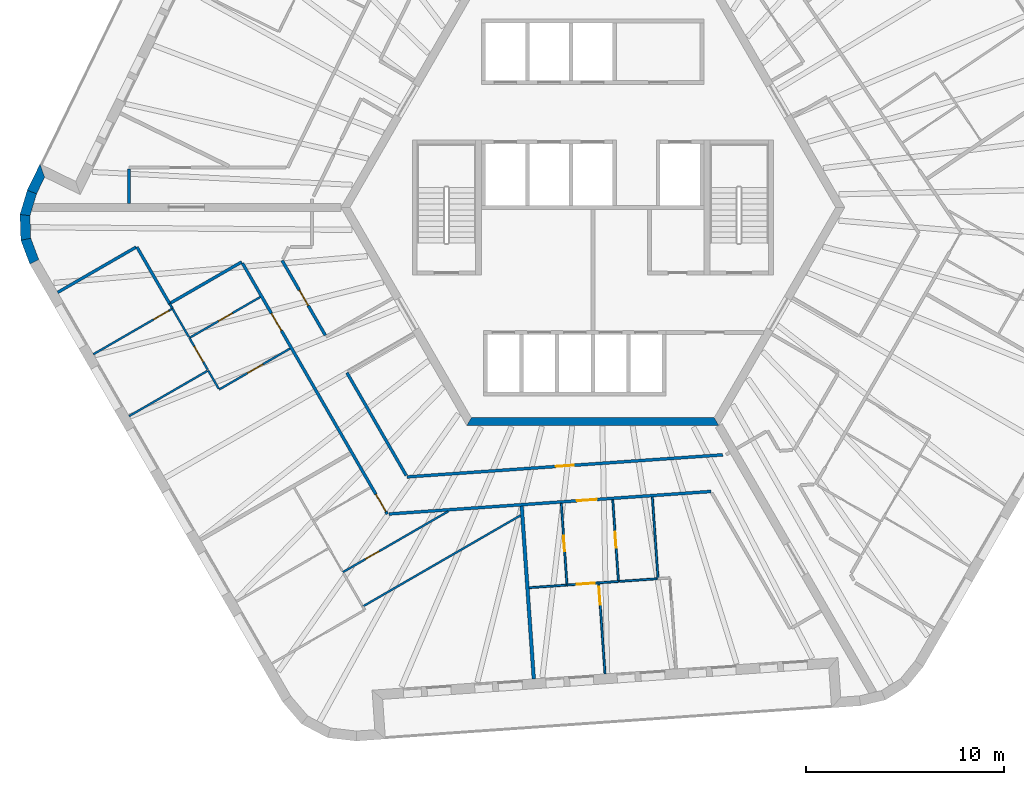
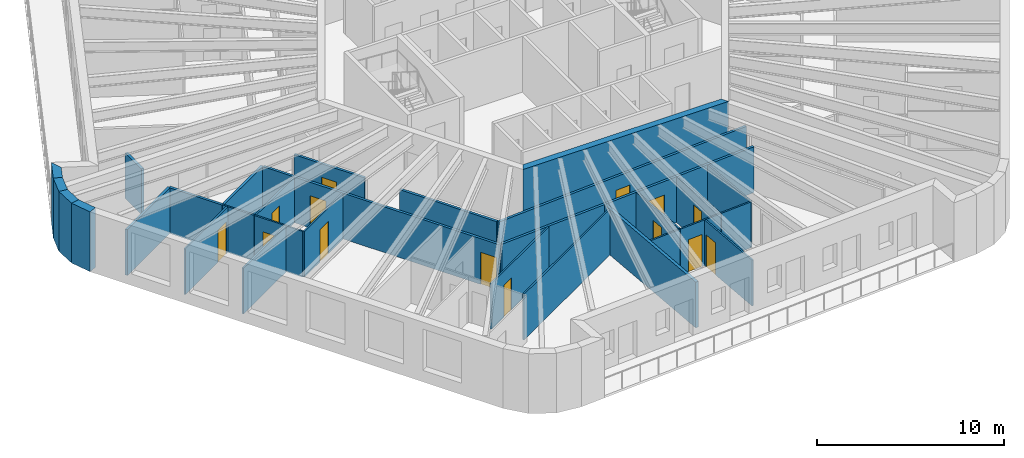
# One storey, part 4 of 12: 32 walls, 14 doors, 14 openings.
"""IFC4 building model written with IfcOpenShell, lengths in metres."""

from ifc_helpers import new_model, si_unit, direction, frame, frame_2d, origin, place, context, subcontext, project, spatial, polyline, rectangle, outline, extrude, material, layer, layer_set, type_object, element, fill, save


model = new_model("IFC4")

# Units and contexts
model_context = context("Model", 3, precision=1e-05, world=origin(), true_north=direction((0.0, 1.0)))
body_context = subcontext(model_context, "Body", "Model", "MODEL_VIEW")
ifc_project = project(units=[si_unit("LENGTHUNIT", "METRE"), si_unit("AREAUNIT", "SQUARE_METRE"), si_unit("VOLUMEUNIT", "CUBIC_METRE"), si_unit("PLANEANGLEUNIT", "RADIAN"), si_unit("MASSUNIT", "GRAM", prefix="KILO")], contexts=[model_context])

# Site, building, storey
site_placement = place(None, origin())
site = spatial("IfcSite", under=ifc_project, at=site_placement, CompositionType="ELEMENT")
building_placement = place(site_placement, origin())
building = spatial("IfcBuilding", under=site, at=building_placement, Name="Tarnside Tower", CompositionType="ELEMENT")
storey_placement = place(building_placement, frame((0.0, 0.0, 318.60009765625)))
storey = spatial("IfcBuildingStorey", under=building, at=storey_placement, Name="L77", CompositionType="ELEMENT", Elevation=318.60009765625)

# Wall, opening, door
ifc_material_1 = material(Name="Gypsum board partition on steel studs", Category="steel")
ifc_layer_1 = layer(ifc_material_1, 0.10009765625)
ifc_layer_set_1 = layer_set([ifc_layer_1], Name="Bathroom wall 100")
wall_type_1 = type_object("IfcWallType", Name="Bathroom wall 100", PredefinedType="PARTITIONING", material=ifc_layer_set_1)
wall_1_placement = place(storey_placement, frame((-16.76123046875, -4.518798828125, 0.0), z_axis=(0.0, 0.0, 1.0), x_axis=(-0.866019999656, -0.500009360108, 0.0)))
wall_1 = element("IfcWall", 1, at=wall_1_placement, inside=storey, type_object=wall_type_1, Name="Bathroom wall 25118", PredefinedType="PARTITIONING", context=body_context, shape_type="SweptSolid", body=[
    extrude(rectangle(XDim=4.125, YDim=0.10009765625, at=frame_2d((2.0625, 0.0))), origin(), (0.0, 0.0, 1.0), 2.98779296875),
])
opening_1_placement = place(wall_1_placement, frame((1.625, 0.0, 0.0)))
opening_1 = element("IfcOpeningElement", 2, at=opening_1_placement, cuts=wall_1, Name="Opening D-B1", PredefinedType="OPENING", context=body_context, shape_type="SweptSolid", body=[
    extrude(rectangle(XDim=0.800048828125, YDim=2.10009765625, at=frame_2d((0.39990234375, 1.050048828125))), frame((0.0, 0.06005859375, 0.0), z_axis=(0.0, -1.0, 0.0), x_axis=(1.0, 0.0, 0.0)), (0.0, 0.0, 1.0), 0.1201171875),
])
ifc_material_2 = material(Name="Timber door leaf", Category="wood")
door_type_1 = type_object("IfcDoorType", Name="Bathroom door 800", OperationType="NOTDEFINED", PredefinedType="DOOR", material=ifc_material_2)
door_1_placement = place(opening_1_placement, origin())
door_1 = element("IfcDoor", 3, at=door_1_placement, inside=storey, type_object=door_type_1, Name="Bathroom door 25023", OperationType="SINGLE_SWING_RIGHT", OverallHeight=2.10009765625, OverallWidth=0.800048828125, PredefinedType="DOOR", context=body_context, shape_type="SweptSolid", body=[
    extrude(rectangle(XDim=0.800048828125, YDim=2.10009765625, at=frame_2d((0.39990234375, 1.050048828125))), frame((0.0, 0.02490234375, 0.0), z_axis=(0.0, -1.0, 0.0), x_axis=(1.0, 0.0, 0.0)), (0.0, 0.0, 1.0), 0.050048828125),
])
fill(opening_1, door_1)

# Walls
wall_2_placement = place(storey_placement, frame((-21.33447265625, -4.84765625, 0.0), z_axis=(0.0, 0.0, 1.0), x_axis=(0.500249908544, -0.865881070934, 0.0)))
element("IfcWall", 4, at=wall_2_placement, inside=storey, type_object=wall_type_1, Name="Bathroom wall 25120", PredefinedType="PARTITIONING", context=body_context, shape_type="SweptSolid", body=[
    extrude(rectangle(XDim=0.293701171875, YDim=0.10009765625, at=frame_2d((0.14697265625, 0.0))), origin(), (0.0, 0.0, 1.0), 2.98779296875),
])
wall_3_placement = place(storey_placement, frame((-21.1875, -5.10205078125, 0.0), z_axis=(0.0, 0.0, 1.0), x_axis=(0.499998264499, -0.866026405774, 0.0)))
element("IfcWall", 5, at=wall_3_placement, inside=storey, type_object=wall_type_1, Name="Bathroom wall 25121", PredefinedType="PARTITIONING", context=body_context, shape_type="SweptSolid", body=[
    extrude(rectangle(XDim=1.66015625, YDim=0.10009765625, at=frame_2d((0.830078125, 0.0))), origin(), (0.0, 0.0, 1.0), 2.98779296875),
])
wall_4_placement = place(storey_placement, frame((-3.640625, -15.525146484375, 0.0), z_axis=(0.0, 0.0, 1.0), x_axis=(-0.866026229868, -0.499998569178, 0.0)))
element("IfcWall", 6, at=wall_4_placement, inside=storey, type_object=wall_type_1, Name="Bathroom wall 25125", PredefinedType="PARTITIONING", context=body_context, shape_type="SweptSolid", body=[
    extrude(rectangle(XDim=9.1845703125, YDim=0.10009765625, at=frame_2d((4.59228515625, 0.0))), origin(), (0.0, 0.0, 1.0), 2.98779296875),
])

# Wall, opening, door
wall_5_placement = place(storey_placement, frame((-12.5947265625, -18.38525390625, 0.0), z_axis=(0.0, 0.0, 1.0), x_axis=(0.866031041839, 0.499990234476, 0.0)))
wall_5 = element("IfcWall", 7, at=wall_5_placement, inside=storey, type_object=wall_type_1, Name="Bathroom wall 25131", PredefinedType="PARTITIONING", context=body_context, shape_type="SweptSolid", body=[
    extrude(rectangle(XDim=6.12939453125, YDim=0.10009765625, at=frame_2d((3.064697265625, 0.0))), origin(), (0.0, 0.0, 1.0), 2.98779296875),
])
opening_2_placement = place(wall_5_placement, frame((1.300048828125, 0.0, 0.0)))
opening_2 = element("IfcOpeningElement", 8, at=opening_2_placement, cuts=wall_5, Name="Opening D-B1", PredefinedType="OPENING", context=body_context, shape_type="SweptSolid", body=[
    extrude(rectangle(XDim=0.800048828125, YDim=2.10009765625, at=frame_2d((0.39990234375, 1.050048828125))), frame((0.0, 0.06005859375, 0.0), z_axis=(0.0, -1.0, 0.0), x_axis=(1.0, 0.0, 0.0)), (0.0, 0.0, 1.0), 0.1201171875),
])
door_2_placement = place(opening_2_placement, origin())
door_2 = element("IfcDoor", 9, at=door_2_placement, inside=storey, type_object=door_type_1, Name="Bathroom door 25037", OperationType="SINGLE_SWING_RIGHT", OverallHeight=2.10009765625, OverallWidth=0.800048828125, PredefinedType="DOOR", context=body_context, shape_type="SweptSolid", body=[
    extrude(rectangle(XDim=0.800048828125, YDim=2.10009765625, at=frame_2d((0.39990234375, 1.050048828125))), frame((0.0, 0.02490234375, 0.0), z_axis=(0.0, -1.0, 0.0), x_axis=(1.0, 0.0, 0.0)), (0.0, 0.0, 1.0), 0.050048828125),
])
fill(opening_2, door_2)

# Wall
wall_6_placement = place(storey_placement, frame((3.001220703125, -14.601318359375, 0.0), z_axis=(0.0, 0.0, 1.0), x_axis=(0.06972428516, -0.997566300583, 0.0)))
element("IfcWall", 10, at=wall_6_placement, inside=storey, type_object=wall_type_1, Name="Bathroom wall 25138", PredefinedType="PARTITIONING", context=body_context, shape_type="SweptSolid", body=[
    extrude(rectangle(XDim=4.124755859375, YDim=0.10009765625, at=frame_2d((2.0625, 0.0))), origin(), (0.0, 0.0, 1.0), 2.98779296875),
])

# Wall, opening, door
wall_7_placement = place(storey_placement, frame((-1.587646484375, -14.922119140625, 0.0), z_axis=(0.0, 0.0, 1.0), x_axis=(0.069720168556, -0.997566588302, 0.0)))
wall_7 = element("IfcWall", 11, at=wall_7_placement, inside=storey, type_object=wall_type_1, Name="Bathroom wall 25139", PredefinedType="PARTITIONING", context=body_context, shape_type="SweptSolid", body=[
    extrude(rectangle(XDim=4.125, YDim=0.10009765625, at=frame_2d((2.0625, 0.0))), origin(), (0.0, 0.0, 1.0), 2.98779296875),
])
opening_3_placement = place(wall_7_placement, frame((1.625, 0.0, 0.0)))
opening_3 = element("IfcOpeningElement", 12, at=opening_3_placement, cuts=wall_7, Name="Opening D-B1", PredefinedType="OPENING", context=body_context, shape_type="SweptSolid", body=[
    extrude(rectangle(XDim=0.800048828125, YDim=2.10009765625, at=frame_2d((0.39990234375, 1.050048828125))), frame((0.0, 0.06005859375, 0.0), z_axis=(0.0, -1.0, 0.0), x_axis=(1.0, 0.0, 0.0)), (0.0, 0.0, 1.0), 0.1201171875),
])
door_3_placement = place(opening_3_placement, origin())
door_3 = element("IfcDoor", 13, at=door_3_placement, inside=storey, type_object=door_type_1, Name="Bathroom door 25039", OperationType="SINGLE_SWING_RIGHT", OverallHeight=2.10009765625, OverallWidth=0.800048828125, PredefinedType="DOOR", context=body_context, shape_type="SweptSolid", body=[
    extrude(rectangle(XDim=0.800048828125, YDim=2.10009765625, at=frame_2d((0.39990234375, 1.050048828125))), frame((0.0, 0.02490234375, 0.0), z_axis=(0.0, -1.0, 0.0), x_axis=(1.0, 0.0, 0.0)), (0.0, 0.0, 1.0), 0.050048828125),
])
fill(opening_3, door_3)

wall_8_placement = place(storey_placement, frame((1.293701171875, -18.855712890625, 0.0), z_axis=(0.0, 0.0, 1.0), x_axis=(-0.069720168556, 0.997566588302, 0.0)))
wall_8 = element("IfcWall", 14, at=wall_8_placement, inside=storey, type_object=wall_type_1, Name="Bathroom wall 25142", PredefinedType="PARTITIONING", context=body_context, shape_type="SweptSolid", body=[
    extrude(rectangle(XDim=4.125, YDim=0.10009765625, at=frame_2d((2.0625, 0.0))), origin(), (0.0, 0.0, 1.0), 2.98779296875),
])
opening_4_placement = place(wall_8_placement, frame((1.699951171875, 0.0, 0.0)))
opening_4 = element("IfcOpeningElement", 15, at=opening_4_placement, cuts=wall_8, Name="Opening D-B1", PredefinedType="OPENING", context=body_context, shape_type="SweptSolid", body=[
    extrude(rectangle(XDim=0.800048828125, YDim=2.10009765625, at=frame_2d((0.39990234375, 1.050048828125))), frame((0.0, 0.06005859375, 0.0), z_axis=(0.0, -1.0, 0.0), x_axis=(1.0, 0.0, 0.0)), (0.0, 0.0, 1.0), 0.1201171875),
])
door_4_placement = place(opening_4_placement, origin())
door_4 = element("IfcDoor", 16, at=door_4_placement, inside=storey, type_object=door_type_1, Name="Bathroom door 25046", OperationType="SINGLE_SWING_LEFT", OverallHeight=2.10009765625, OverallWidth=0.800048828125, PredefinedType="DOOR", context=body_context, shape_type="SweptSolid", body=[
    extrude(rectangle(XDim=0.800048828125, YDim=2.10009765625, at=frame_2d((0.39990234375, 1.050048828125))), frame((0.0, 0.02490234375, 0.0), z_axis=(0.0, -1.0, 0.0), x_axis=(1.0, 0.0, 0.0)), (0.0, 0.0, 1.0), 0.050048828125),
])
fill(opening_4, door_4)

# Walls
wall_9_placement = place(storey_placement, frame((-3.205322265625, -19.17041015625, 0.0), z_axis=(0.0, 0.0, 1.0), x_axis=(0.99755494671, 0.069886538722, 0.0)))
element("IfcWall", 17, at=wall_9_placement, inside=storey, type_object=wall_type_1, Name="Bathroom wall 25143", PredefinedType="PARTITIONING", context=body_context, shape_type="SweptSolid", body=[
    extrude(rectangle(XDim=1.862060546875, YDim=0.10009765625, at=frame_2d((0.93115234375, 0.0))), origin(), (0.0, 0.0, 1.0), 2.98779296875),
])
wall_10_placement = place(storey_placement, frame((3.239013671875, -18.7197265625, 0.0), z_axis=(0.0, 0.0, 1.0), x_axis=(-0.997563261324, -0.069767755139, 0.0)))
element("IfcWall", 18, at=wall_10_placement, inside=storey, type_object=wall_type_1, Name="Bathroom wall 25145", PredefinedType="PARTITIONING", context=body_context, shape_type="SweptSolid", body=[
    extrude(rectangle(XDim=1.900146484375, YDim=0.10009765625, at=frame_2d((0.9501953125, 0.0))), origin(), (0.0, 0.0, 1.0), 2.98779296875),
])
ifc_material_3 = material(Name="Concrete C60/75", Category="concrete")
ifc_layer_2 = layer(ifc_material_3, 0.39990234375)
ifc_layer_set_2 = layer_set([ifc_layer_2], Name="Core wall Z3 400 C60/75")
wall_type_2 = type_object("IfcWallType", Name="Core wall Z3 400 C60/75", PredefinedType="SHEAR", material=ifc_layer_set_2)
wall_11_placement = place(storey_placement, frame((-6.2353515625, -10.800048828125, -0.150146484375), z_axis=(0.0, 0.0, 1.0), x_axis=(1.0, 0.0, 0.0)))
element("IfcWall", 19, at=wall_11_placement, inside=storey, type_object=wall_type_2, Name="L77 core wall face 4", PredefinedType="SHEAR", context=body_context, shape_type="SweptSolid", body=[
    extrude(outline(polyline([(-0.115478515625, -0.199951171875), (12.586181640625, -0.199951171875), (12.355224609375, 0.199951171875), (0.115478515625, 0.199951171875), (-0.115478515625, -0.199951171875)])), origin(), (0.0, 0.0, 1.0), 3.900146484375),
])
ifc_layer_3 = layer(ifc_material_1, 0.14990234375)
ifc_layer_set_3 = layer_set([ifc_layer_3], Name="Corridor wall 150 EI 60")
wall_type_3 = type_object("IfcWallType", Name="Corridor wall 150 EI 60", PredefinedType="PARTITIONING", material=ifc_layer_set_3)
wall_12_placement = place(storey_placement, frame((-23.3740234375, 1.925048828125, 0.0), z_axis=(0.0, 0.0, 1.0), x_axis=(0.0, -1.0, 0.0)))
element("IfcWall", 20, at=wall_12_placement, inside=storey, type_object=wall_type_3, Name="Corridor wall 25018", PredefinedType="PARTITIONING", context=body_context, shape_type="SweptSolid", body=[
    extrude(rectangle(XDim=1.72509765625, YDim=0.14990234375, at=frame_2d((0.862548828125, 0.0))), origin(), (0.0, 0.0, 1.0), 2.98779296875),
])

# Wall, openings, doors
wall_13_placement = place(storey_placement, frame((-17.65869140625, -2.814208984375, 0.0), z_axis=(0.0, 0.0, 1.0), x_axis=(0.499992611149, -0.866029669697, 0.0)))
wall_13 = element("IfcWall", 21, at=wall_13_placement, inside=storey, type_object=wall_type_3, Name="Corridor wall 25028", PredefinedType="PARTITIONING", context=body_context, shape_type="SweptSolid", body=[
    extrude(rectangle(XDim=14.602294921875, YDim=0.14990234375, at=frame_2d((7.30126953125, 0.0))), origin(), (0.0, 0.0, 1.0), 2.98779296875),
])
opening_5_placement = place(wall_13_placement, frame((2.925048828125, 0.0, 0.0)))
opening_5 = element("IfcOpeningElement", 22, at=opening_5_placement, cuts=wall_13, Name="Opening D-E1", PredefinedType="OPENING", context=body_context, shape_type="SweptSolid", body=[
    extrude(rectangle(XDim=1.0, YDim=2.10009765625, at=frame_2d((0.5, 1.050048828125))), frame((0.0, 0.0849609375, 0.0), z_axis=(0.0, -1.0, 0.0), x_axis=(1.0, 0.0, 0.0)), (0.0, 0.0, 1.0), 0.169921875),
])
opening_6_placement = place(wall_13_placement, frame((13.4521484375, 0.0, 0.0)))
opening_6 = element("IfcOpeningElement", 23, at=opening_6_placement, cuts=wall_13, Name="Opening D-E1", PredefinedType="OPENING", context=body_context, shape_type="SweptSolid", body=[
    extrude(rectangle(XDim=1.0, YDim=2.10009765625, at=frame_2d((0.5, 1.050048828125))), frame((0.0, 0.0849609375, 0.0), z_axis=(0.0, -1.0, 0.0), x_axis=(1.0, 0.0, 0.0)), (0.0, 0.0, 1.0), 0.169921875),
])
door_type_2 = type_object("IfcDoorType", Name="Unit entrance door 1000 FD30S", OperationType="NOTDEFINED", PredefinedType="DOOR", material=ifc_material_2)
door_5_placement = place(opening_5_placement, origin())
door_5 = element("IfcDoor", 24, at=door_5_placement, inside=storey, type_object=door_type_2, Name="Unit door 25022", OperationType="SINGLE_SWING_RIGHT", OverallHeight=2.10009765625, OverallWidth=1.0, PredefinedType="DOOR", context=body_context, shape_type="SweptSolid", body=[
    extrude(rectangle(XDim=1.0, YDim=2.10009765625, at=frame_2d((0.5, 1.050048828125))), frame((0.0, 0.02490234375, 0.0), z_axis=(0.0, -1.0, 0.0), x_axis=(1.0, 0.0, 0.0)), (0.0, 0.0, 1.0), 0.050048828125),
])
fill(opening_5, door_5)
door_6_placement = place(opening_6_placement, origin())
door_6 = element("IfcDoor", 25, at=door_6_placement, inside=storey, type_object=door_type_2, Name="Unit door 25029", OperationType="SINGLE_SWING_LEFT", OverallHeight=2.10009765625, OverallWidth=1.0, PredefinedType="DOOR", context=body_context, shape_type="SweptSolid", body=[
    extrude(rectangle(XDim=1.0, YDim=2.10009765625, at=frame_2d((0.5, 1.050048828125))), frame((0.0, 0.02490234375, 0.0), z_axis=(0.0, -1.0, 0.0), x_axis=(1.0, 0.0, 0.0)), (0.0, 0.0, 1.0), 0.050048828125),
])
fill(opening_6, door_6)

# Walls
wall_14_placement = place(storey_placement, frame((-21.33349609375, -4.849365234375, 0.0), z_axis=(0.0, 0.0, 1.0), x_axis=(0.866009402589, 0.500027713859, 0.0)))
element("IfcWall", 26, at=wall_14_placement, inside=storey, type_object=wall_type_3, Name="Corridor wall 25030", PredefinedType="PARTITIONING", context=body_context, shape_type="SweptSolid", body=[
    extrude(rectangle(XDim=4.199951171875, YDim=0.14990234375, at=frame_2d((2.10009765625, 0.0))), origin(), (0.0, 0.0, 1.0), 2.98779296875),
])
wall_15_placement = place(storey_placement, frame((-26.97119140625, -4.284423828125, 0.0), z_axis=(0.0, 0.0, 1.0), x_axis=(0.866028083473, 0.499995358614, 0.0)))
element("IfcWall", 27, at=wall_15_placement, inside=storey, type_object=wall_type_3, Name="Corridor wall 25032", PredefinedType="PARTITIONING", context=body_context, shape_type="SweptSolid", body=[
    extrude(rectangle(XDim=4.56884765625, YDim=0.14990234375, at=frame_2d((2.284423828125, 0.0))), origin(), (0.0, 0.0, 1.0), 2.98779296875),
])
wall_16_placement = place(storey_placement, frame((-22.978515625, -2.0, 0.0), z_axis=(0.0, 0.0, 1.0), x_axis=(0.499989815132, -0.866031283941, 0.0)))
element("IfcWall", 28, at=wall_16_placement, inside=storey, type_object=wall_type_3, Name="Corridor wall 25033", PredefinedType="PARTITIONING", context=body_context, shape_type="SweptSolid", body=[
    extrude(rectangle(XDim=3.29345703125, YDim=0.14990234375, at=frame_2d((1.646728515625, 0.0))), origin(), (0.0, 0.0, 1.0), 2.98779296875),
])

# Wall, opening, door
wall_17_placement = place(storey_placement, frame((-10.2744140625, -15.454345703125, 0.0), z_axis=(0.0, 0.0, 1.0), x_axis=(0.997564284069, 0.069753130035, 0.0)))
wall_17 = element("IfcWall", 29, at=wall_17_placement, inside=storey, type_object=wall_type_3, Name="Corridor wall 25035", PredefinedType="PARTITIONING", context=body_context, shape_type="SweptSolid", body=[
    extrude(rectangle(XDim=16.271728515625, YDim=0.14990234375, at=frame_2d((8.1357421875, 0.0))), origin(), (0.0, 0.0, 1.0), 2.98779296875),
])
opening_7_placement = place(wall_17_placement, frame((9.502685546875, 0.0, 0.0)))
opening_7 = element("IfcOpeningElement", 30, at=opening_7_placement, cuts=wall_17, Name="Opening D-E1", PredefinedType="OPENING", context=body_context, shape_type="SweptSolid", body=[
    extrude(rectangle(XDim=1.0, YDim=2.10009765625, at=frame_2d((0.5, 1.050048828125))), frame((0.0, 0.0849609375, 0.0), z_axis=(0.0, -1.0, 0.0), x_axis=(1.0, 0.0, 0.0)), (0.0, 0.0, 1.0), 0.169921875),
])
door_7_placement = place(opening_7_placement, origin())
door_7 = element("IfcDoor", 31, at=door_7_placement, inside=storey, type_object=door_type_2, Name="Unit door 25038", OperationType="SINGLE_SWING_RIGHT", OverallHeight=2.10009765625, OverallWidth=1.0, PredefinedType="DOOR", context=body_context, shape_type="SweptSolid", body=[
    extrude(rectangle(XDim=1.0, YDim=2.10009765625, at=frame_2d((0.5, 1.050048828125))), frame((0.0, 0.02490234375, 0.0), z_axis=(0.0, -1.0, 0.0), x_axis=(1.0, 0.0, 0.0)), (0.0, 0.0, 1.0), 0.050048828125),
])
fill(opening_7, door_7)

wall_18_placement = place(storey_placement, frame((-13.480712890625, -6.45068359375, 0.0), z_axis=(0.0, 0.0, 1.0), x_axis=(-0.499990905326, 0.866030654533, 0.0)))
wall_18 = element("IfcWall", 32, at=wall_18_placement, inside=storey, type_object=wall_type_3, Name="Corridor wall 25045", PredefinedType="PARTITIONING", context=body_context, shape_type="SweptSolid", body=[
    extrude(rectangle(XDim=4.35595703125, YDim=0.14990234375, at=frame_2d((2.177978515625, 0.0))), origin(), (0.0, 0.0, 1.0), 2.98779296875),
])
opening_8_placement = place(wall_18_placement, frame((1.72802734375, 0.0, 0.0)))
opening_8 = element("IfcOpeningElement", 33, at=opening_8_placement, cuts=wall_18, Name="Opening D-S1", PredefinedType="OPENING", context=body_context, shape_type="SweptSolid", body=[
    extrude(rectangle(XDim=0.89990234375, YDim=2.10009765625, at=frame_2d((0.449951171875, 1.050048828125))), frame((0.0, 0.0849609375, 0.0), z_axis=(0.0, -1.0, 0.0), x_axis=(1.0, 0.0, 0.0)), (0.0, 0.0, 1.0), 0.169921875),
])
door_type_3 = type_object("IfcDoorType", Name="Service room door 900 FD30S", OperationType="NOTDEFINED", PredefinedType="DOOR", material=ifc_material_2)
door_8_placement = place(opening_8_placement, origin())
door_8 = element("IfcDoor", 34, at=door_8_placement, inside=storey, type_object=door_type_3, Name="Service door 25073", OperationType="SINGLE_SWING_RIGHT", OverallHeight=2.10009765625, OverallWidth=0.89990234375, PredefinedType="DOOR", context=body_context, shape_type="SweptSolid", body=[
    extrude(rectangle(XDim=0.89990234375, YDim=2.10009765625, at=frame_2d((0.449951171875, 1.050048828125))), frame((0.0, 0.02490234375, 0.0), z_axis=(0.0, -1.0, 0.0), x_axis=(1.0, 0.0, 0.0)), (0.0, 0.0, 1.0), 0.050048828125),
])
fill(opening_8, door_8)

wall_19_placement = place(storey_placement, frame((6.550537109375, -12.473388671875, 0.0), z_axis=(0.0, 0.0, 1.0), x_axis=(-0.997563421853, -0.069765459797, 0.0)))
wall_19 = element("IfcWall", 35, at=wall_19_placement, inside=storey, type_object=wall_type_3, Name="Corridor wall 25050", PredefinedType="PARTITIONING", context=body_context, shape_type="SweptSolid", body=[
    extrude(rectangle(XDim=15.950439453125, YDim=0.14990234375, at=frame_2d((7.97509765625, 0.0))), origin(), (0.0, 0.0, 1.0), 2.98779296875),
])
opening_9_placement = place(wall_19_placement, frame((7.525146484375, 0.0, 0.0)))
opening_9 = element("IfcOpeningElement", 36, at=opening_9_placement, cuts=wall_19, Name="Opening D-S1", PredefinedType="OPENING", context=body_context, shape_type="SweptSolid", body=[
    extrude(rectangle(XDim=0.89990234375, YDim=2.10009765625, at=frame_2d((0.449951171875, 1.050048828125))), frame((0.0, 0.0849609375, 0.0), z_axis=(0.0, -1.0, 0.0), x_axis=(1.0, 0.0, 0.0)), (0.0, 0.0, 1.0), 0.169921875),
])
door_9_placement = place(opening_9_placement, origin())
door_9 = element("IfcDoor", 37, at=door_9_placement, inside=storey, type_object=door_type_3, Name="Service door 25074", OperationType="SINGLE_SWING_RIGHT", OverallHeight=2.10009765625, OverallWidth=0.89990234375, PredefinedType="DOOR", context=body_context, shape_type="SweptSolid", body=[
    extrude(rectangle(XDim=0.89990234375, YDim=2.10009765625, at=frame_2d((0.449951171875, 1.050048828125))), frame((0.0, 0.02490234375, 0.0), z_axis=(0.0, -1.0, 0.0), x_axis=(1.0, 0.0, 0.0)), (0.0, 0.0, 1.0), 0.050048828125),
])
fill(opening_9, door_9)

# Walls
wall_20_placement = place(storey_placement, frame((-9.40283203125, -13.513916015625, 0.0), z_axis=(0.0, 0.0, 1.0), x_axis=(-0.499998061752, 0.866026522829, 0.0)))
element("IfcWall", 38, at=wall_20_placement, inside=storey, type_object=wall_type_3, Name="Corridor wall 25051", PredefinedType="PARTITIONING", context=body_context, shape_type="SweptSolid", body=[
    extrude(rectangle(XDim=5.98095703125, YDim=0.14990234375, at=frame_2d((2.990478515625, 0.0))), origin(), (0.0, 0.0, 1.0), 2.98779296875),
])
ifc_layer_4 = layer(ifc_material_1, 0.179931640625)
ifc_layer_set_4 = layer_set([ifc_layer_4], Name="Demising wall 180 EI 60")
wall_type_4 = type_object("IfcWallType", Name="Demising wall 180 EI 60", PredefinedType="PARTITIONING", material=ifc_layer_set_4)
wall_21_placement = place(storey_placement, frame((-2.97412109375, -23.765380859375, 0.0), z_axis=(0.0, 0.0, 1.0), x_axis=(-0.06975756604, 0.997563973878, 0.0)))
element("IfcWall", 39, at=wall_21_placement, inside=storey, type_object=wall_type_4, Name="Demising wall 25126", PredefinedType="PARTITIONING", context=body_context, shape_type="SweptSolid", body=[
    extrude(rectangle(XDim=8.72509765625, YDim=0.179931640625, at=frame_2d((4.362548828125, 0.0))), origin(), (0.0, 0.0, 1.0), 2.98779296875),
])
ifc_material_4 = material(Name="Dark zinc cladding")
ifc_layer_5 = layer(ifc_material_4, 0.10205078125)
ifc_material_5 = material(Name="Concrete C60/75 precast", Category="concrete")
ifc_layer_6 = layer(ifc_material_5, 0.298095703125)
ifc_material_6 = material(Name="Mineral wool insulation")
ifc_layer_7 = layer(ifc_material_6, 0.10009765625)
ifc_layer_set_5 = layer_set([ifc_layer_5, ifc_layer_6, ifc_layer_7], Name="Loggia wall 500 zinc faced")
wall_type_5 = type_object("IfcWallType", Name="Loggia wall 500 zinc faced", PredefinedType="SOLIDWALL", material=ifc_layer_set_5)
wall_22_placement = place(storey_placement, frame((-27.745849609375, 1.852783203125, -0.150146484375), z_axis=(0.0, 0.0, 1.0), x_axis=(-0.438319390103, -0.898819287877, 0.0)))
element("IfcWall", 40, at=wall_22_placement, inside=storey, type_object=wall_type_5, Name="Tube wall L77 F2 stub 08", PredefinedType="SOLIDWALL", context=body_context, shape_type="SweptSolid", body=[
    extrude(outline(polyline([(-0.25, -0.25), (1.22021484375, -0.25), (1.17919921875, 0.25), (0.25, 0.25), (-0.25, -0.25)])), origin(), (0.0, 0.0, 1.0), 3.900146484375),
])

# Wall, opening, door
ifc_layer_8 = layer(ifc_material_1, 0.10009765625)
ifc_layer_set_6 = layer_set([ifc_layer_8], Name="Partition 100")
wall_type_6 = type_object("IfcWallType", Name="Partition 100", PredefinedType="PARTITIONING", material=ifc_layer_set_6)
wall_23_placement = place(storey_placement, frame((-15.26123046875, -7.116943359375, 0.0), z_axis=(0.0, 0.0, 1.0), x_axis=(-0.866019999656, -0.500009360108, 0.0)))
wall_23 = element("IfcWall", 41, at=wall_23_placement, inside=storey, type_object=wall_type_6, Name="Partition wall 25113", PredefinedType="PARTITIONING", context=body_context, shape_type="SweptSolid", body=[
    extrude(rectangle(XDim=4.125, YDim=0.10009765625, at=frame_2d((2.0625, 0.0))), origin(), (0.0, 0.0, 1.0), 2.98779296875),
])
opening_10_placement = place(wall_23_placement, frame((1.574951171875, 0.0, 0.0)))
opening_10 = element("IfcOpeningElement", 42, at=opening_10_placement, cuts=wall_23, Name="Opening D-I1", PredefinedType="OPENING", context=body_context, shape_type="SweptSolid", body=[
    extrude(rectangle(XDim=0.89990234375, YDim=2.10009765625, at=frame_2d((0.449951171875, 1.050048828125))), frame((0.0, 0.06005859375, 0.0), z_axis=(0.0, -1.0, 0.0), x_axis=(1.0, 0.0, 0.0)), (0.0, 0.0, 1.0), 0.1201171875),
])
door_type_4 = type_object("IfcDoorType", Name="Internal door 900", OperationType="NOTDEFINED", PredefinedType="DOOR", material=ifc_material_2)
door_10_placement = place(opening_10_placement, origin())
door_10 = element("IfcDoor", 43, at=door_10_placement, inside=storey, type_object=door_type_4, Name="Internal door 25024", OperationType="SINGLE_SWING_RIGHT", OverallHeight=2.10009765625, OverallWidth=0.89990234375, PredefinedType="DOOR", context=body_context, shape_type="SweptSolid", body=[
    extrude(rectangle(XDim=0.89990234375, YDim=2.10009765625, at=frame_2d((0.449951171875, 1.050048828125))), frame((0.0, 0.02490234375, 0.0), z_axis=(0.0, -1.0, 0.0), x_axis=(1.0, 0.0, 0.0)), (0.0, 0.0, 1.0), 0.050048828125),
])
fill(opening_10, door_10)

# Walls
wall_24_placement = place(storey_placement, frame((-18.8583984375, -9.13623046875, 0.0), z_axis=(0.0, 0.0, 1.0), x_axis=(-0.499928435111, 0.86606671785, 0.0)))
element("IfcWall", 44, at=wall_24_placement, inside=storey, type_object=wall_type_6, Name="Partition wall 25114", PredefinedType="PARTITIONING", context=body_context, shape_type="SweptSolid", body=[
    extrude(rectangle(XDim=1.060302734375, YDim=0.10009765625, at=frame_2d((0.5302734375, 0.0))), origin(), (0.0, 0.0, 1.0), 2.98779296875),
])
wall_25_placement = place(storey_placement, frame((-19.430908203125, -8.244873046875, 0.0), z_axis=(0.0, 0.0, 1.0), x_axis=(-0.866035472144, -0.499982560684, 0.0)))
element("IfcWall", 45, at=wall_25_placement, inside=storey, type_object=wall_type_6, Name="Partition wall 25115", PredefinedType="PARTITIONING", context=body_context, shape_type="SweptSolid", body=[
    extrude(rectangle(XDim=4.550048828125, YDim=0.10009765625, at=frame_2d((2.27490234375, 0.0))), origin(), (0.0, 0.0, 1.0), 2.98779296875),
])

# Wall, opening, door
wall_26_placement = place(storey_placement, frame((-20.33447265625, -6.57958984375, 0.0), z_axis=(0.0, 0.0, 1.0), x_axis=(0.499955500775, -0.8660510939, 0.0)))
wall_26 = element("IfcWall", 46, at=wall_26_placement, inside=storey, type_object=wall_type_6, Name="Partition wall 25119", PredefinedType="PARTITIONING", context=body_context, shape_type="SweptSolid", body=[
    extrude(rectangle(XDim=1.843994140625, YDim=0.10009765625, at=frame_2d((0.921875, 0.0))), origin(), (0.0, 0.0, 1.0), 2.98779296875),
])
opening_11_placement = place(wall_26_placement, frame((0.498046875, 0.0, 0.0)))
opening_11 = element("IfcOpeningElement", 47, at=opening_11_placement, cuts=wall_26, Name="Opening D-I1", PredefinedType="OPENING", context=body_context, shape_type="SweptSolid", body=[
    extrude(rectangle(XDim=0.89990234375, YDim=2.10009765625, at=frame_2d((0.449951171875, 1.050048828125))), frame((0.0, 0.06005859375, 0.0), z_axis=(0.0, -1.0, 0.0), x_axis=(1.0, 0.0, 0.0)), (0.0, 0.0, 1.0), 0.1201171875),
])
door_11_placement = place(opening_11_placement, origin())
door_11 = element("IfcDoor", 48, at=door_11_placement, inside=storey, type_object=door_type_4, Name="Internal door 25028", OperationType="SINGLE_SWING_LEFT", OverallHeight=2.10009765625, OverallWidth=0.89990234375, PredefinedType="DOOR", context=body_context, shape_type="SweptSolid", body=[
    extrude(rectangle(XDim=0.89990234375, YDim=2.10009765625, at=frame_2d((0.449951171875, 1.050048828125))), frame((0.0, 0.02490234375, 0.0), z_axis=(0.0, -1.0, 0.0), x_axis=(1.0, 0.0, 0.0)), (0.0, 0.0, 1.0), 0.050048828125),
])
fill(opening_11, door_11)

wall_27_placement = place(storey_placement, frame((-25.171142578125, -7.402099609375, 0.0), z_axis=(0.0, 0.0, 1.0), x_axis=(0.866022057717, 0.500005795514, 0.0)))
wall_27 = element("IfcWall", 49, at=wall_27_placement, inside=storey, type_object=wall_type_6, Name="Partition wall 25122", PredefinedType="PARTITIONING", context=body_context, shape_type="SweptSolid", body=[
    extrude(rectangle(XDim=4.5498046875, YDim=0.10009765625, at=frame_2d((2.27490234375, 0.0))), origin(), (0.0, 0.0, 1.0), 2.98779296875),
])
opening_12_placement = place(wall_27_placement, frame((3.5, 0.0, 0.0)))
opening_12 = element("IfcOpeningElement", 50, at=opening_12_placement, cuts=wall_27, Name="Opening D-I1", PredefinedType="OPENING", context=body_context, shape_type="SweptSolid", body=[
    extrude(rectangle(XDim=0.89990234375, YDim=2.10009765625, at=frame_2d((0.449951171875, 1.050048828125))), frame((0.0, 0.06005859375, 0.0), z_axis=(0.0, -1.0, 0.0), x_axis=(1.0, 0.0, 0.0)), (0.0, 0.0, 1.0), 0.1201171875),
])
door_12_placement = place(opening_12_placement, origin())
door_12 = element("IfcDoor", 51, at=door_12_placement, inside=storey, type_object=door_type_4, Name="Internal door 25027", OperationType="SINGLE_SWING_RIGHT", OverallHeight=2.10009765625, OverallWidth=0.89990234375, PredefinedType="DOOR", context=body_context, shape_type="SweptSolid", body=[
    extrude(rectangle(XDim=0.89990234375, YDim=2.10009765625, at=frame_2d((0.449951171875, 1.050048828125))), frame((0.0, 0.02490234375, 0.0), z_axis=(0.0, -1.0, 0.0), x_axis=(1.0, 0.0, 0.0)), (0.0, 0.0, 1.0), 0.050048828125),
])
fill(opening_12, door_12)

wall_28_placement = place(storey_placement, frame((-1.302001953125, -19.037109375, 0.0), z_axis=(0.0, 0.0, 1.0), x_axis=(0.997564189086, 0.06975448841, 0.0)))
wall_28 = element("IfcWall", 52, at=wall_28_placement, inside=storey, type_object=wall_type_6, Name="Partition wall 25140", PredefinedType="PARTITIONING", context=body_context, shape_type="SweptSolid", body=[
    extrude(rectangle(XDim=2.60400390625, YDim=0.10009765625, at=frame_2d((1.302001953125, 0.0))), origin(), (0.0, 0.0, 1.0), 2.98779296875),
])
opening_13_placement = place(wall_28_placement, frame((0.501953125, 0.0, 0.0)))
opening_13 = element("IfcOpeningElement", 53, at=opening_13_placement, cuts=wall_28, Name="Opening D-I1", PredefinedType="OPENING", context=body_context, shape_type="SweptSolid", body=[
    extrude(rectangle(XDim=0.89990234375, YDim=2.10009765625, at=frame_2d((0.449951171875, 1.050048828125))), frame((0.0, 0.06005859375, 0.0), z_axis=(0.0, -1.0, 0.0), x_axis=(1.0, 0.0, 0.0)), (0.0, 0.0, 1.0), 0.1201171875),
])
door_13_placement = place(opening_13_placement, origin())
door_13 = element("IfcDoor", 54, at=door_13_placement, inside=storey, type_object=door_type_4, Name="Internal door 25041", OperationType="SINGLE_SWING_LEFT", OverallHeight=2.10009765625, OverallWidth=0.89990234375, PredefinedType="DOOR", context=body_context, shape_type="SweptSolid", body=[
    extrude(rectangle(XDim=0.89990234375, YDim=2.10009765625, at=frame_2d((0.449951171875, 1.050048828125))), frame((0.0, 0.02490234375, 0.0), z_axis=(0.0, -1.0, 0.0), x_axis=(1.0, 0.0, 0.0)), (0.0, 0.0, 1.0), 0.050048828125),
])
fill(opening_13, door_13)

wall_29_placement = place(storey_placement, frame((0.616943359375, -23.51416015625, 0.0), z_axis=(0.0, 0.0, 1.0), x_axis=(-0.0697559739, 0.997564085212, 0.0)))
wall_29 = element("IfcWall", 55, at=wall_29_placement, inside=storey, type_object=wall_type_6, Name="Partition wall 25144", PredefinedType="PARTITIONING", context=body_context, shape_type="SweptSolid", body=[
    extrude(rectangle(XDim=4.5498046875, YDim=0.10009765625, at=frame_2d((2.27490234375, 0.0))), origin(), (0.0, 0.0, 1.0), 2.98779296875),
])
opening_14_placement = place(wall_29_placement, frame((3.5, 0.0, 0.0)))
opening_14 = element("IfcOpeningElement", 56, at=opening_14_placement, cuts=wall_29, Name="Opening D-I1", PredefinedType="OPENING", context=body_context, shape_type="SweptSolid", body=[
    extrude(rectangle(XDim=0.89990234375, YDim=2.10009765625, at=frame_2d((0.449951171875, 1.050048828125))), frame((0.0, 0.06005859375, 0.0), z_axis=(0.0, -1.0, 0.0), x_axis=(1.0, 0.0, 0.0)), (0.0, 0.0, 1.0), 0.1201171875),
])
door_14_placement = place(opening_14_placement, origin())
door_14 = element("IfcDoor", 57, at=door_14_placement, inside=storey, type_object=door_type_4, Name="Internal door 25044", OperationType="SINGLE_SWING_RIGHT", OverallHeight=2.10009765625, OverallWidth=0.89990234375, PredefinedType="DOOR", context=body_context, shape_type="SweptSolid", body=[
    extrude(rectangle(XDim=0.89990234375, YDim=2.10009765625, at=frame_2d((0.449951171875, 1.050048828125))), frame((0.0, 0.02490234375, 0.0), z_axis=(0.0, -1.0, 0.0), x_axis=(1.0, 0.0, 0.0)), (0.0, 0.0, 1.0), 0.050048828125),
])
fill(opening_14, door_14)

# Walls
ifc_material_7 = material(Name="Facing brick", Category="masonry")
ifc_layer_9 = layer(ifc_material_7, 0.10205078125)
ifc_layer_10 = layer(ifc_material_5, 0.298095703125)
ifc_layer_11 = layer(ifc_material_6, 0.10009765625)
ifc_layer_set_7 = layer_set([ifc_layer_9, ifc_layer_10, ifc_layer_11], Name="Tube wall 500 brick faced")
wall_type_7 = type_object("IfcWallType", Name="Tube wall 500 brick faced", PredefinedType="SOLIDWALL", material=ifc_layer_set_7)
wall_30_placement = place(storey_placement, frame((-28.271728515625, 0.7744140625, -0.150146484375), z_axis=(0.0, 0.0, 1.0), x_axis=(-0.286813843218, -0.957986335674, 0.0)))
element("IfcWall", 58, at=wall_30_placement, inside=storey, type_object=wall_type_7, Name="Tube wall L77 F2 chord 09", PredefinedType="SOLIDWALL", context=body_context, shape_type="SweptSolid", body=[
    extrude(outline(polyline([(-0.0205078125, -0.25), (1.25732421875, -0.25), (1.17529296875, 0.25), (0.0205078125, 0.25), (-0.0205078125, -0.25)])), origin(), (0.0, 0.0, 1.0), 3.900146484375),
])
wall_31_placement = place(storey_placement, frame((-28.62060546875, -0.390869140625, -0.150146484375), z_axis=(0.0, 0.0, 1.0), x_axis=(0.034925456137, -0.999389920158, 0.0)))
element("IfcWall", 59, at=wall_31_placement, inside=storey, type_object=wall_type_7, Name="Tube wall L77 F2 chord 10", PredefinedType="SOLIDWALL", context=body_context, shape_type="SweptSolid", body=[
    extrude(outline(polyline([(-0.041015625, -0.25), (1.25732421875, -0.25), (1.17529296875, 0.25), (0.041015625, 0.25), (-0.041015625, -0.25)])), origin(), (0.0, 0.0, 1.0), 3.900146484375),
])
wall_32_placement = place(storey_placement, frame((-28.578125, -1.6064453125, -0.150146484375), z_axis=(0.0, 0.0, 1.0), x_axis=(0.352838463023, -0.935684251771, 0.0)))
element("IfcWall", 60, at=wall_32_placement, inside=storey, type_object=wall_type_7, Name="Tube wall L77 F2 chord 11", PredefinedType="SOLIDWALL", context=body_context, shape_type="SweptSolid", body=[
    extrude(outline(polyline([(-0.041015625, -0.25), (1.23681640625, -0.25), (1.19580078125, 0.25), (0.041015625, 0.25), (-0.041015625, -0.25)])), origin(), (0.0, 0.0, 1.0), 3.900146484375),
])

save(model, "model.ifc")
